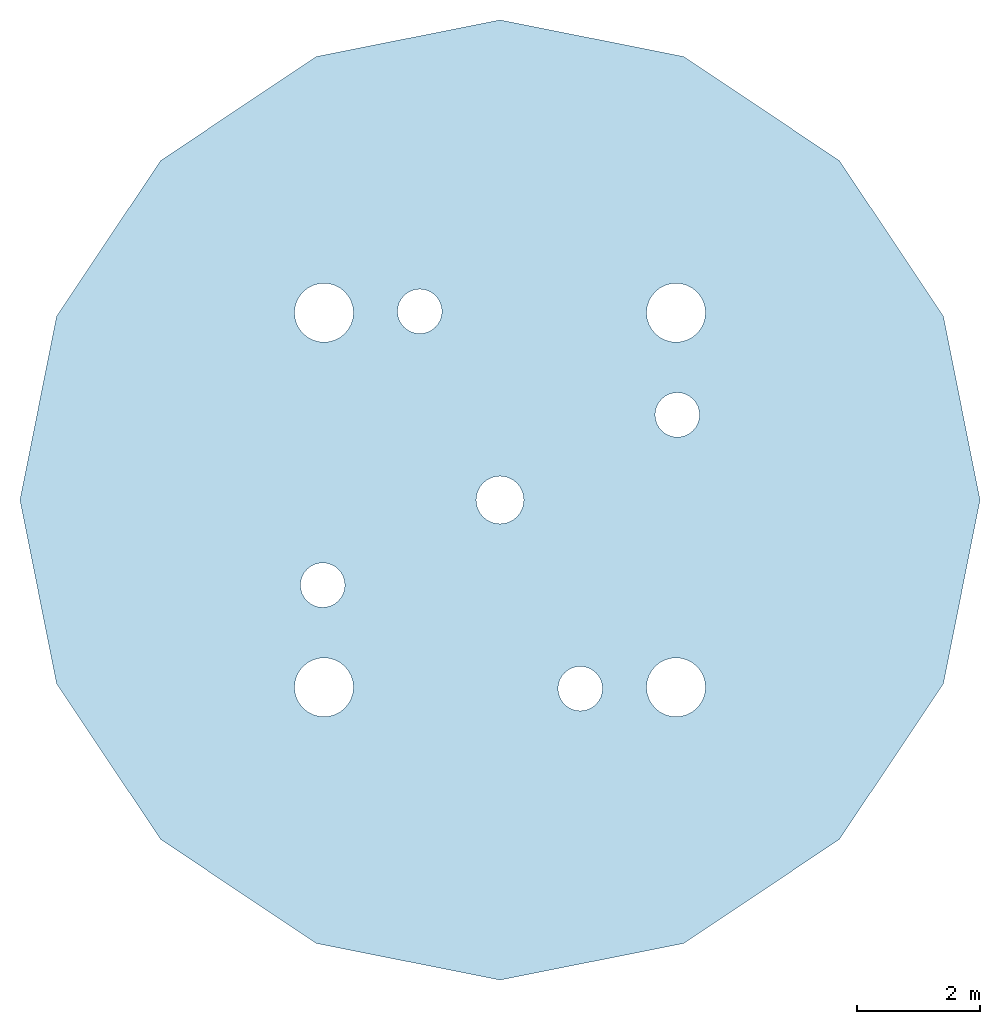
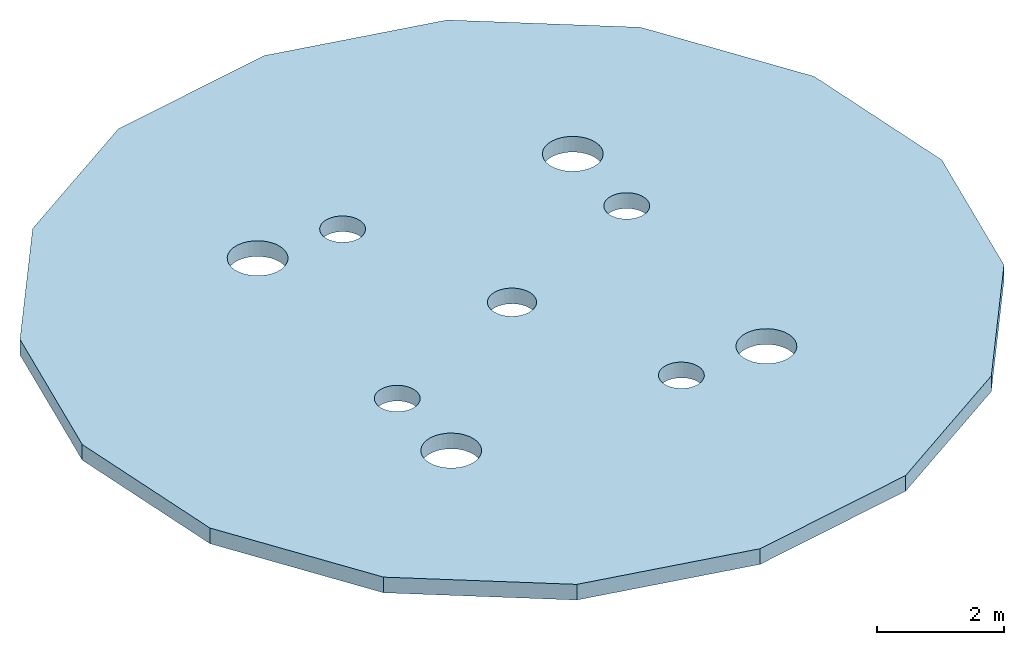
# One storey: 1 roof.
"""IFC4 building model written with IfcOpenShell, lengths in metres."""

from ifc_helpers import new_model, si_unit, direction, frame, origin, place, context, subcontext, project, spatial, polyline, outline, extrude, material, layer, layer_set, type_object, element, save


model = new_model("IFC4")

# Units and contexts
model_context = context("Model", 3, precision=1e-05, world=origin(), true_north=direction((0.0, 1.0)))
body_context = subcontext(model_context, "Body", "Model", "MODEL_VIEW")
ifc_project = project(units=[si_unit("LENGTHUNIT", "METRE"), si_unit("AREAUNIT", "SQUARE_METRE"), si_unit("VOLUMEUNIT", "CUBIC_METRE"), si_unit("PLANEANGLEUNIT", "RADIAN"), si_unit("MASSUNIT", "GRAM", prefix="KILO")], contexts=[model_context])

# Site, building, storey
site_placement = place(None, origin())
site = spatial("IfcSite", under=ifc_project, at=site_placement, CompositionType="ELEMENT")
building_placement = place(site_placement, origin())
building = spatial("IfcBuilding", under=site, at=building_placement, Name="Tamarind Cross Interchange Tower", CompositionType="ELEMENT")
storey_placement = place(building_placement, frame((0.0, 0.0, 338.0)))
storey = spatial("IfcBuildingStorey", under=building, at=storey_placement, Name="Lantern Top", CompositionType="ELEMENT", Elevation=338.0)

# Roof
ifc_material = material(Name="Aluminium standing-seam roofing", Category="aluminium")
ifc_layer = layer(ifc_material, 0.300048828125)
ifc_layer_set = layer_set([ifc_layer], Name="Aluminium standing-seam roofing")
roof_type = type_object("IfcRoofType", Name="Crown cap roof", PredefinedType="USERDEFINED", material=ifc_layer_set)
roof_placement = place(storey_placement, origin())
element("IfcRoof", 1, at=roof_placement, inside=storey, type_object=roof_type, Name="LNT-L80-RF3", ObjectType="Crown cap roof", PredefinedType="USERDEFINED", context=body_context, shape_type="SweptSolid", body=[
    extrude(outline(polyline([(7.800048828125, 0.0), (7.206298828125, 2.98486328125), (5.515380859375, 5.515380859375), (2.98486328125, 7.206298828125), (0.0, 7.800048828125), (-2.98486328125, 7.206298828125), (-5.515380859375, 5.515380859375), (-7.206298828125, 2.98486328125), (-7.800048828125, 0.0), (-7.206298828125, -2.98486328125), (-5.515380859375, -5.515380859375), (-2.98486328125, -7.206298828125), (0.0, -7.800048828125), (2.98486328125, -7.206298828125), (5.515380859375, -5.515380859375), (7.206298828125, -2.98486328125), (7.800048828125, 0.0)]), holes=[polyline([(1.604736328125, -3.266357421875), (1.559814453125, -3.321044921875), (1.5048828125, -3.3662109375), (1.4423828125, -3.3994140625), (1.374755859375, -3.420166015625), (1.30419921875, -3.427001953125), (1.233642578125, -3.420166015625), (1.166015625, -3.3994140625), (1.103515625, -3.3662109375), (1.048583984375, -3.321044921875), (1.003662109375, -3.266357421875), (0.97021484375, -3.203857421875), (0.94970703125, -3.135986328125), (0.942626953125, -3.0654296875), (0.94970703125, -2.9951171875), (0.97021484375, -2.92724609375), (1.003662109375, -2.86474609375), (1.048583984375, -2.809814453125), (1.103515625, -2.764892578125), (1.166015625, -2.7314453125), (1.233642578125, -2.7109375), (1.30419921875, -2.7041015625), (1.374755859375, -2.7109375), (1.4423828125, -2.7314453125), (1.5048828125, -2.764892578125), (1.559814453125, -2.809814453125), (1.604736328125, -2.86474609375), (1.63818359375, -2.92724609375), (1.65869140625, -2.9951171875), (1.665771484375, -3.0654296875), (1.65869140625, -3.135986328125), (1.63818359375, -3.203857421875), (1.604736328125, -3.266357421875)]), polyline([(-2.462158203125, -3.30908203125), (-2.521728515625, -3.381591796875), (-2.59423828125, -3.44140625), (-2.677001953125, -3.485595703125), (-2.766845703125, -3.5126953125), (-2.8603515625, -3.52197265625), (-2.953857421875, -3.5126953125), (-3.043701171875, -3.485595703125), (-3.12646484375, -3.44140625), (-3.19921875, -3.381591796875), (-3.2587890625, -3.30908203125), (-3.302978515625, -3.226318359375), (-3.330078125, -3.136474609375), (-3.33935546875, -3.04296875), (-3.330078125, -2.949462890625), (-3.302978515625, -2.859619140625), (-3.2587890625, -2.77685546875), (-3.19921875, -2.704345703125), (-3.12646484375, -2.644775390625), (-3.043701171875, -2.6005859375), (-2.953857421875, -2.5732421875), (-2.8603515625, -2.56396484375), (-2.766845703125, -2.5732421875), (-2.677001953125, -2.6005859375), (-2.59423828125, -2.644775390625), (-2.521728515625, -2.704345703125), (-2.462158203125, -2.77685546875), (-2.41796875, -2.859619140625), (-2.390625, -2.949462890625), (-2.38134765625, -3.04296875), (-2.390625, -3.136474609375), (-2.41796875, -3.226318359375), (-2.462158203125, -3.30908203125)]), polyline([(3.2587890625, -3.30908203125), (3.19921875, -3.381591796875), (3.12646484375, -3.44140625), (3.043701171875, -3.485595703125), (2.953857421875, -3.5126953125), (2.8603515625, -3.52197265625), (2.766845703125, -3.5126953125), (2.677001953125, -3.485595703125), (2.59423828125, -3.44140625), (2.521728515625, -3.381591796875), (2.462158203125, -3.30908203125), (2.41796875, -3.226318359375), (2.390625, -3.136474609375), (2.38134765625, -3.04296875), (2.390625, -2.949462890625), (2.41796875, -2.859619140625), (2.462158203125, -2.77685546875), (2.521728515625, -2.704345703125), (2.59423828125, -2.644775390625), (2.677001953125, -2.6005859375), (2.766845703125, -2.5732421875), (2.8603515625, -2.56396484375), (2.953857421875, -2.5732421875), (3.043701171875, -2.6005859375), (3.12646484375, -2.644775390625), (3.19921875, -2.704345703125), (3.2587890625, -2.77685546875), (3.302978515625, -2.859619140625), (3.330078125, -2.949462890625), (3.33935546875, -3.04296875), (3.330078125, -3.136474609375), (3.302978515625, -3.226318359375), (3.2587890625, -3.30908203125)]), polyline([(-2.580810546875, -1.583984375), (-2.625732421875, -1.638916015625), (-2.680419921875, -1.683837890625), (-2.742919921875, -1.71728515625), (-2.810791015625, -1.73779296875), (-2.88134765625, -1.744873046875), (-2.951904296875, -1.73779296875), (-3.01953125, -1.71728515625), (-3.08203125, -1.683837890625), (-3.136962890625, -1.638916015625), (-3.181884765625, -1.583984375), (-3.21533203125, -1.521484375), (-3.23583984375, -1.453857421875), (-3.242919921875, -1.38330078125), (-3.23583984375, -1.312744140625), (-3.21533203125, -1.244873046875), (-3.181884765625, -1.182373046875), (-3.136962890625, -1.127685546875), (-3.08203125, -1.082763671875), (-3.01953125, -1.04931640625), (-2.951904296875, -1.02880859375), (-2.88134765625, -1.021728515625), (-2.810791015625, -1.02880859375), (-2.742919921875, -1.04931640625), (-2.680419921875, -1.082763671875), (-2.625732421875, -1.127685546875), (-2.580810546875, -1.182373046875), (-2.54736328125, -1.244873046875), (-2.52685546875, -1.312744140625), (-2.519775390625, -1.38330078125), (-2.52685546875, -1.453857421875), (-2.54736328125, -1.521484375), (-2.580810546875, -1.583984375)]), polyline([(0.322265625, -0.21533203125), (0.27392578125, -0.27392578125), (0.21533203125, -0.322265625), (0.148193359375, -0.35791015625), (0.07568359375, -0.380126953125), (0.0, -0.387451171875), (-0.07568359375, -0.380126953125), (-0.148193359375, -0.35791015625), (-0.21533203125, -0.322265625), (-0.27392578125, -0.27392578125), (-0.322265625, -0.21533203125), (-0.35791015625, -0.148193359375), (-0.380126953125, -0.07568359375), (-0.387451171875, 0.0), (-0.380126953125, 0.07568359375), (-0.35791015625, 0.148193359375), (-0.322265625, 0.21533203125), (-0.27392578125, 0.27392578125), (-0.21533203125, 0.322265625), (-0.148193359375, 0.35791015625), (-0.07568359375, 0.380126953125), (0.0, 0.387451171875), (0.07568359375, 0.380126953125), (0.148193359375, 0.35791015625), (0.21533203125, 0.322265625), (0.27392578125, 0.27392578125), (0.322265625, 0.21533203125), (0.35791015625, 0.148193359375), (0.380126953125, 0.07568359375), (0.387451171875, 0.0), (0.380126953125, -0.07568359375), (0.35791015625, -0.148193359375), (0.322265625, -0.21533203125)]), polyline([(3.181884765625, 1.182373046875), (3.136962890625, 1.127685546875), (3.08203125, 1.082763671875), (3.01953125, 1.04931640625), (2.951904296875, 1.02880859375), (2.88134765625, 1.021728515625), (2.810791015625, 1.02880859375), (2.742919921875, 1.04931640625), (2.680419921875, 1.082763671875), (2.625732421875, 1.127685546875), (2.580810546875, 1.182373046875), (2.54736328125, 1.244873046875), (2.52685546875, 1.312744140625), (2.519775390625, 1.38330078125), (2.52685546875, 1.453857421875), (2.54736328125, 1.521484375), (2.580810546875, 1.583984375), (2.625732421875, 1.638916015625), (2.680419921875, 1.683837890625), (2.742919921875, 1.71728515625), (2.810791015625, 1.73779296875), (2.88134765625, 1.744873046875), (2.951904296875, 1.73779296875), (3.01953125, 1.71728515625), (3.08203125, 1.683837890625), (3.136962890625, 1.638916015625), (3.181884765625, 1.583984375), (3.21533203125, 1.521484375), (3.23583984375, 1.453857421875), (3.242919921875, 1.38330078125), (3.23583984375, 1.312744140625), (3.21533203125, 1.244873046875), (3.181884765625, 1.182373046875)]), polyline([(-2.462158203125, 2.77685546875), (-2.521728515625, 2.704345703125), (-2.59423828125, 2.644775390625), (-2.677001953125, 2.6005859375), (-2.766845703125, 2.5732421875), (-2.8603515625, 2.56396484375), (-2.953857421875, 2.5732421875), (-3.043701171875, 2.6005859375), (-3.12646484375, 2.644775390625), (-3.19921875, 2.704345703125), (-3.2587890625, 2.77685546875), (-3.302978515625, 2.859619140625), (-3.330078125, 2.949462890625), (-3.33935546875, 3.04296875), (-3.330078125, 3.136474609375), (-3.302978515625, 3.226318359375), (-3.2587890625, 3.30908203125), (-3.19921875, 3.381591796875), (-3.12646484375, 3.44140625), (-3.043701171875, 3.485595703125), (-2.953857421875, 3.5126953125), (-2.8603515625, 3.52197265625), (-2.766845703125, 3.5126953125), (-2.677001953125, 3.485595703125), (-2.59423828125, 3.44140625), (-2.521728515625, 3.381591796875), (-2.462158203125, 3.30908203125), (-2.41796875, 3.226318359375), (-2.390625, 3.136474609375), (-2.38134765625, 3.04296875), (-2.390625, 2.949462890625), (-2.41796875, 2.859619140625), (-2.462158203125, 2.77685546875)]), polyline([(3.19921875, 2.704345703125), (3.12646484375, 2.644775390625), (3.043701171875, 2.6005859375), (2.953857421875, 2.5732421875), (2.8603515625, 2.56396484375), (2.766845703125, 2.5732421875), (2.677001953125, 2.6005859375), (2.59423828125, 2.644775390625), (2.521728515625, 2.704345703125), (2.462158203125, 2.77685546875), (2.41796875, 2.859619140625), (2.390625, 2.949462890625), (2.38134765625, 3.04296875), (2.390625, 3.136474609375), (2.41796875, 3.226318359375), (2.462158203125, 3.30908203125), (2.521728515625, 3.381591796875), (2.59423828125, 3.44140625), (2.677001953125, 3.485595703125), (2.766845703125, 3.5126953125), (2.8603515625, 3.52197265625), (2.953857421875, 3.5126953125), (3.043701171875, 3.485595703125), (3.12646484375, 3.44140625), (3.19921875, 3.381591796875), (3.2587890625, 3.30908203125), (3.302978515625, 3.226318359375), (3.330078125, 3.136474609375), (3.33935546875, 3.04296875), (3.330078125, 2.949462890625), (3.302978515625, 2.859619140625), (3.2587890625, 2.77685546875), (3.19921875, 2.704345703125)]), polyline([(-1.048583984375, 2.809814453125), (-1.103515625, 2.764892578125), (-1.166015625, 2.7314453125), (-1.233642578125, 2.7109375), (-1.30419921875, 2.7041015625), (-1.374755859375, 2.7109375), (-1.4423828125, 2.7314453125), (-1.5048828125, 2.764892578125), (-1.559814453125, 2.809814453125), (-1.604736328125, 2.86474609375), (-1.63818359375, 2.92724609375), (-1.65869140625, 2.9951171875), (-1.665771484375, 3.0654296875), (-1.65869140625, 3.135986328125), (-1.63818359375, 3.203857421875), (-1.604736328125, 3.266357421875), (-1.559814453125, 3.321044921875), (-1.5048828125, 3.3662109375), (-1.4423828125, 3.3994140625), (-1.374755859375, 3.420166015625), (-1.30419921875, 3.427001953125), (-1.233642578125, 3.420166015625), (-1.166015625, 3.3994140625), (-1.103515625, 3.3662109375), (-1.048583984375, 3.321044921875), (-1.003662109375, 3.266357421875), (-0.97021484375, 3.203857421875), (-0.94970703125, 3.135986328125), (-0.942626953125, 3.0654296875), (-0.94970703125, 2.9951171875), (-0.97021484375, 2.92724609375), (-1.003662109375, 2.86474609375), (-1.048583984375, 2.809814453125)])]), origin(), (0.0, 0.0, 1.0), 0.300048828125),
])

save(model, "model.ifc")
